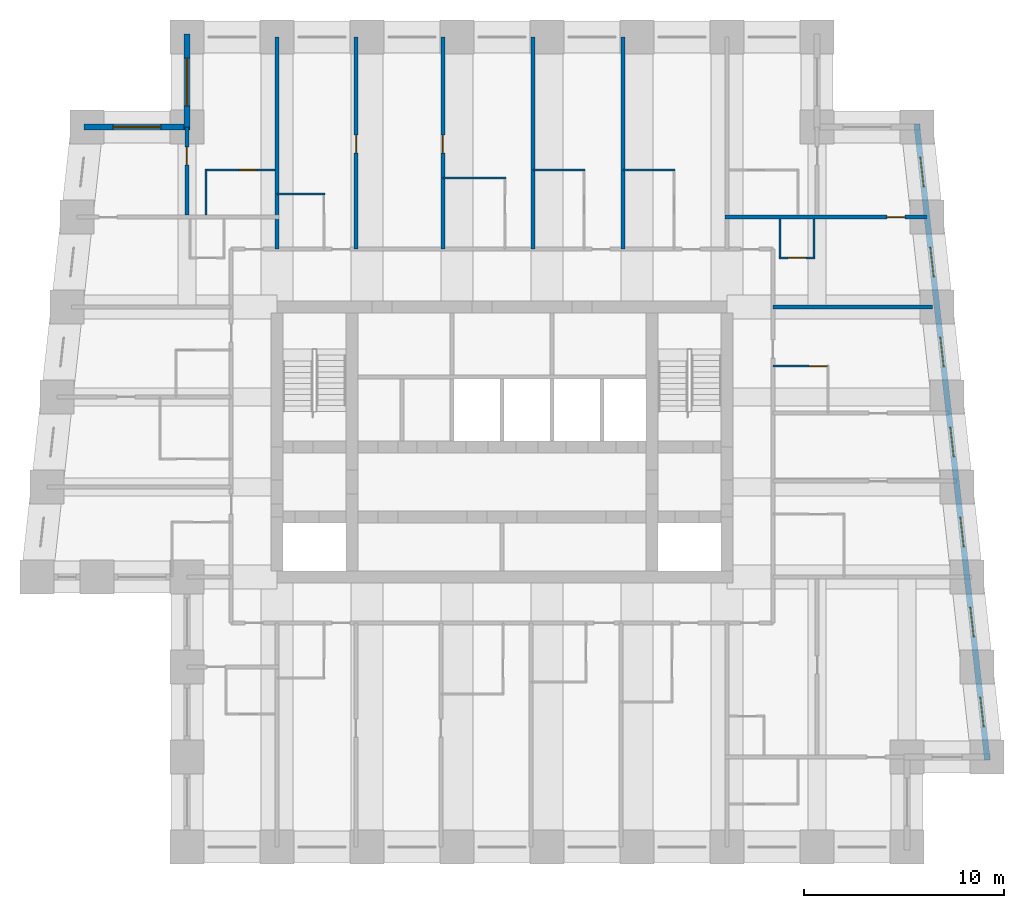
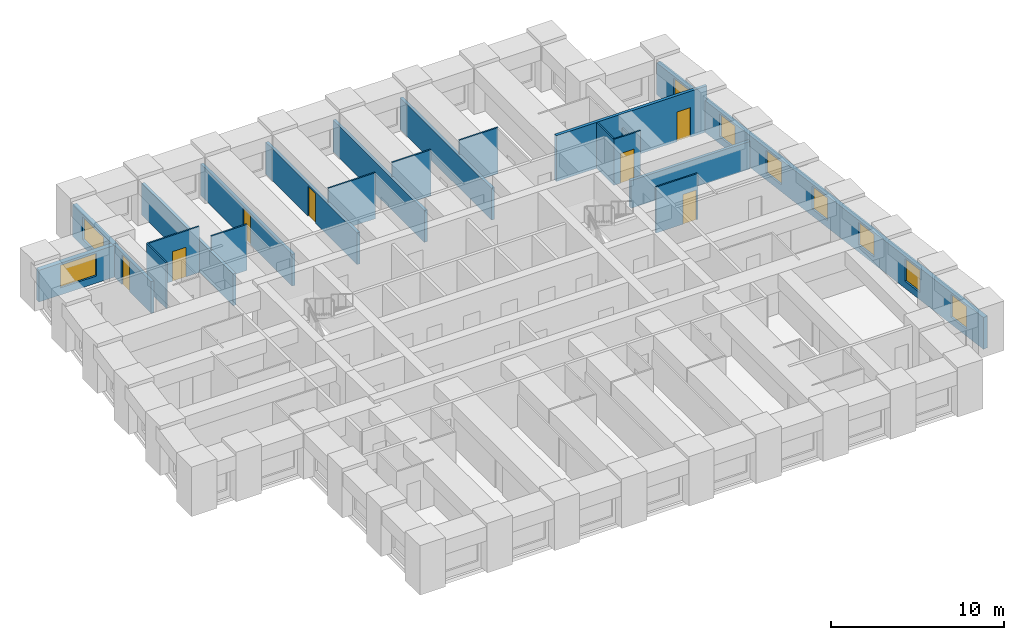
# One storey, part 6 of 8: 21 walls, 9 windows, 7 doors, 16 openings.
"""IFC4 building model written with IfcOpenShell, lengths in metres."""

from ifc_helpers import new_model, si_unit, direction, frame, frame_2d, origin, place, context, subcontext, project, spatial, rectangle, extrude, material, layer, layer_set, type_object, element, fill, save


model = new_model("IFC4")

# Units and contexts
model_context = context("Model", 3, precision=1e-05, world=origin(), true_north=direction((0.0, 1.0)))
body_context = subcontext(model_context, "Body", "Model", "MODEL_VIEW")
ifc_project = project(units=[si_unit("LENGTHUNIT", "METRE"), si_unit("AREAUNIT", "SQUARE_METRE"), si_unit("VOLUMEUNIT", "CUBIC_METRE"), si_unit("PLANEANGLEUNIT", "RADIAN"), si_unit("MASSUNIT", "GRAM", prefix="KILO")], contexts=[model_context])

# Site, building, storey
site_placement = place(None, origin())
site = spatial("IfcSite", under=ifc_project, at=site_placement, CompositionType="ELEMENT")
building_placement = place(site_placement, origin())
building = spatial("IfcBuilding", under=site, at=building_placement, Name="Kilele Tower Hotel", CompositionType="ELEMENT")
storey_placement = place(building_placement, frame((0.0, 0.0, 176.39990234375)))
storey = spatial("IfcBuildingStorey", under=building, at=storey_placement, Name="L45", CompositionType="ELEMENT", Elevation=176.39990234375)

# Wall, opening, door
ifc_material_1 = material(Name="Moisture-resistant board")
ifc_layer_1 = layer(ifc_material_1, 0.10009765625)
ifc_layer_set_1 = layer_set([ifc_layer_1], Name="Moisture-resistant board")
wall_type_1 = type_object("IfcWallType", Name="Bathroom partition 100", PredefinedType="PLUMBINGWALL", material=ifc_layer_set_1)
wall_1_placement = place(storey_placement, frame((38.300048828125, 24.050048828125, 0.0), z_axis=(0.0, 0.0, 1.0), x_axis=(1.0, 0.0, 0.0)))
wall_1 = element("IfcWall", 1, at=wall_1_placement, inside=storey, type_object=wall_type_1, Name="Bathroom partition 100 L45", PredefinedType="PLUMBINGWALL", context=body_context, shape_type="SweptSolid", body=[
    extrude(rectangle(XDim=2.800048828125, YDim=0.10009765625, at=frame_2d((1.39990234375, 0.0))), origin(), (0.0, 0.0, 1.0), 3.25),
])
opening_1_placement = place(wall_1_placement, frame((1.800048828125, 0.0, 0.0)))
opening_1 = element("IfcOpeningElement", 2, at=opening_1_placement, cuts=wall_1, Name="Opening D2A", PredefinedType="OPENING", context=body_context, shape_type="SweptSolid", body=[
    extrude(rectangle(XDim=0.89990234375, YDim=2.10009765625, at=frame_2d((0.449951171875, 1.050048828125))), frame((0.0, 0.06005859375, 0.0), z_axis=(0.0, -1.0, 0.0), x_axis=(1.0, 0.0, 0.0)), (0.0, 0.0, 1.0), 0.1201171875),
])
ifc_material_2 = material(Name="Timber door leaf in hardwood frame", Category="wood")
door_type_1 = type_object("IfcDoorType", Name="Bathroom door 900", OperationType="SINGLE_SWING_LEFT", PredefinedType="DOOR", material=ifc_material_2)
door_1_placement = place(opening_1_placement, origin())
door_1 = element("IfcDoor", 3, at=door_1_placement, inside=storey, type_object=door_type_1, Name="Bathroom door 4508B", OperationType="SINGLE_SWING_RIGHT", OverallHeight=2.10009765625, OverallWidth=0.89990234375, PredefinedType="DOOR", context=body_context, shape_type="SweptSolid", body=[
    extrude(rectangle(XDim=0.89990234375, YDim=2.10009765625, at=frame_2d((0.449951171875, 1.050048828125))), frame((0.0, 0.02490234375, 0.0), z_axis=(0.0, -1.0, 0.0), x_axis=(1.0, 0.0, 0.0)), (0.0, 0.0, 1.0), 0.050048828125),
])
fill(opening_1, door_1)

# Walls
wall_2_placement = place(storey_placement, frame((13.5, 32.64990234375, 0.0), z_axis=(0.0, 0.0, 1.0), x_axis=(1.0, 0.0, 0.0)))
element("IfcWall", 4, at=wall_2_placement, inside=storey, type_object=wall_type_1, Name="Bathroom partition 100 L45", PredefinedType="PLUMBINGWALL", context=body_context, shape_type="SweptSolid", body=[
    extrude(rectangle(XDim=2.39990234375, YDim=0.10009765625, at=frame_2d((1.199951171875, 0.0))), origin(), (0.0, 0.0, 1.0), 3.25),
])
wall_3_placement = place(storey_placement, frame((21.800048828125, 33.449951171875, 0.0), z_axis=(0.0, 0.0, 1.0), x_axis=(1.0, 0.0, 0.0)))
element("IfcWall", 5, at=wall_3_placement, inside=storey, type_object=wall_type_1, Name="Bathroom partition 100 L45", PredefinedType="PLUMBINGWALL", context=body_context, shape_type="SweptSolid", body=[
    extrude(rectangle(XDim=3.14990234375, YDim=0.10009765625, at=frame_2d((1.574951171875, 0.0))), origin(), (0.0, 0.0, 1.0), 3.25),
])
for number, where, z_axis, x_axis, name in (
    (6, (26.300048828125, 33.85009765625, 0.0), (0.0, 0.0, 1.0), (1.0, 0.0, 0.0), "Bathroom partition 100 L45"),
    (7, (30.800048828125, 33.85009765625, 0.0), (0.0, 0.0, 1.0), (1.0, 0.0, 0.0), "Bathroom partition 100 L45"),
):
    element("IfcWall", number, at=place(storey_placement, frame(where, z_axis=z_axis, x_axis=x_axis)), inside=storey, type_object=wall_type_1, Name=name, PredefinedType="PLUMBINGWALL", context=body_context, shape_type="SweptSolid", body=[
        extrude(rectangle(XDim=2.599853515625, YDim=0.10009765625, at=frame_2d((1.2998046875, 0.0))), origin(), (0.0, 0.0, 1.0), 3.25),
    ])
wall_4_placement = place(storey_placement, frame((40.35009765625, 31.39990234375, 0.0), z_axis=(0.0, 0.0, 1.0), x_axis=(0.0, -1.0, 0.0)))
element("IfcWall", 8, at=wall_4_placement, inside=storey, type_object=wall_type_1, Name="Bathroom partition 100 L45", PredefinedType="PLUMBINGWALL", context=body_context, shape_type="SweptSolid", body=[
    extrude(rectangle(XDim=2.0, YDim=0.10009765625, at=frame_2d((1.0, 0.0))), origin(), (0.0, 0.0, 1.0), 2.25),
])
wall_5_placement = place(storey_placement, frame((38.64990234375, 31.39990234375, 0.0), z_axis=(0.0, 0.0, 1.0), x_axis=(0.0, -1.0, 0.0)))
element("IfcWall", 9, at=wall_5_placement, inside=storey, type_object=wall_type_1, Name="Bathroom partition 100 L45", PredefinedType="PLUMBINGWALL", context=body_context, shape_type="SweptSolid", body=[
    extrude(rectangle(XDim=2.0, YDim=0.10009765625, at=frame_2d((1.0, 0.0))), origin(), (0.0, 0.0, 1.0), 3.25),
])

# Wall, opening, door
wall_6_placement = place(storey_placement, frame((38.60009765625, 29.449951171875, 0.0), z_axis=(0.0, 0.0, 1.0), x_axis=(1.0, 0.0, 0.0)))
wall_6 = element("IfcWall", 10, at=wall_6_placement, inside=storey, type_object=wall_type_1, Name="Bathroom partition 100 L45", PredefinedType="PLUMBINGWALL", context=body_context, shape_type="SweptSolid", body=[
    extrude(rectangle(XDim=1.7998046875, YDim=0.10009765625, at=frame_2d((0.89990234375, 0.0))), origin(), (0.0, 0.0, 1.0), 3.25),
])
opening_2_placement = place(wall_6_placement, frame((1.349853515625, 0.0, 0.0), z_axis=(0.0, 0.0, 1.0), x_axis=(-1.0, 0.0, 0.0)))
opening_2 = element("IfcOpeningElement", 11, at=opening_2_placement, cuts=wall_6, Name="Opening D2A", PredefinedType="OPENING", context=body_context, shape_type="SweptSolid", body=[
    extrude(rectangle(XDim=0.89990234375, YDim=2.10009765625, at=frame_2d((0.449951171875, 1.050048828125))), frame((0.0, 0.06005859375, 0.0), z_axis=(0.0, -1.0, 0.0), x_axis=(1.0, 0.0, 0.0)), (0.0, 0.0, 1.0), 0.1201171875),
])
door_2_placement = place(opening_2_placement, origin())
door_2 = element("IfcDoor", 12, at=door_2_placement, inside=storey, type_object=door_type_1, Name="Bathroom door 4522P", OperationType="SINGLE_SWING_RIGHT", OverallHeight=2.10009765625, OverallWidth=0.89990234375, PredefinedType="DOOR", context=body_context, shape_type="SweptSolid", body=[
    extrude(rectangle(XDim=0.89990234375, YDim=2.10009765625, at=frame_2d((0.449951171875, 1.050048828125))), frame((0.0, 0.02490234375, 0.0), z_axis=(0.0, -1.0, 0.0), x_axis=(1.0, 0.0, 0.0)), (0.0, 0.0, 1.0), 0.050048828125),
])
fill(opening_2, door_2)

# Wall
wall_7_placement = place(storey_placement, frame((9.949951171875, 31.60009765625, 0.0), z_axis=(0.0, 0.0, 1.0), x_axis=(0.0, 1.0, 0.0)))
element("IfcWall", 13, at=wall_7_placement, inside=storey, type_object=wall_type_1, Name="Bathroom partition 100 L45", PredefinedType="PLUMBINGWALL", context=body_context, shape_type="SweptSolid", body=[
    extrude(rectangle(XDim=2.2998046875, YDim=0.10009765625, at=frame_2d((1.14990234375, 0.0))), origin(), (0.0, 0.0, 1.0), 3.25),
])

# Wall, opening, door
wall_8_placement = place(storey_placement, frame((13.39990234375, 33.85009765625, 0.0), z_axis=(0.0, 0.0, 1.0), x_axis=(-1.0, 0.0, 0.0)))
wall_8 = element("IfcWall", 14, at=wall_8_placement, inside=storey, type_object=wall_type_1, Name="Bathroom partition 100 L45", PredefinedType="PLUMBINGWALL", context=body_context, shape_type="SweptSolid", body=[
    extrude(rectangle(XDim=3.5, YDim=0.10009765625, at=frame_2d((1.75, 0.0))), origin(), (0.0, 0.0, 1.0), 3.25),
])
opening_3_placement = place(wall_8_placement, frame((1.7998046875, 0.0, 0.0), z_axis=(0.0, 0.0, 1.0), x_axis=(-1.0, 0.0, 0.0)))
opening_3 = element("IfcOpeningElement", 15, at=opening_3_placement, cuts=wall_8, Name="Opening D2A", PredefinedType="OPENING", context=body_context, shape_type="SweptSolid", body=[
    extrude(rectangle(XDim=0.89990234375, YDim=2.10009765625, at=frame_2d((0.449951171875, 1.050048828125))), frame((0.0, 0.06005859375, 0.0), z_axis=(0.0, -1.0, 0.0), x_axis=(1.0, 0.0, 0.0)), (0.0, 0.0, 1.0), 0.1201171875),
])
door_3_placement = place(opening_3_placement, origin())
door_3 = element("IfcDoor", 16, at=door_3_placement, inside=storey, type_object=door_type_1, Name="Bathroom door 4526B", OperationType="SINGLE_SWING_RIGHT", OverallHeight=2.10009765625, OverallWidth=0.89990234375, PredefinedType="DOOR", context=body_context, shape_type="SweptSolid", body=[
    extrude(rectangle(XDim=0.89990234375, YDim=2.10009765625, at=frame_2d((0.449951171875, 1.050048828125))), frame((0.0, 0.02490234375, 0.0), z_axis=(0.0, -1.0, 0.0), x_axis=(1.0, 0.0, 0.0)), (0.0, 0.0, 1.0), 0.050048828125),
])
fill(opening_3, door_3)

ifc_material_3 = material(Name="Blockwork, plastered both sides", Category="masonry")
ifc_layer_2 = layer(ifc_material_3, 0.199951171875)
ifc_layer_set_2 = layer_set([ifc_layer_2], Name="Blockwork, plastered both sides")
wall_type_2 = type_object("IfcWallType", Name="Partition wall 200", PredefinedType="PARTITIONING", material=ifc_layer_set_2)
wall_9_placement = place(storey_placement, frame((9.0, 31.60009765625, 0.0), z_axis=(0.0, 0.0, 1.0), x_axis=(0.0, 1.0, 0.0)))
wall_9 = element("IfcWall", 17, at=wall_9_placement, inside=storey, type_object=wall_type_2, Name="Partition wall 200 L45", PredefinedType="PARTITIONING", context=body_context, shape_type="SweptSolid", body=[
    extrude(rectangle(XDim=4.39990234375, YDim=0.199951171875, at=frame_2d((2.199951171875, 0.0))), origin(), (0.0, 0.0, 1.0), 2.25),
])
opening_4_placement = place(wall_9_placement, frame((3.39990234375, 0.0, 0.0), z_axis=(0.0, 0.0, 1.0), x_axis=(-1.0, 0.0, 0.0)))
opening_4 = element("IfcOpeningElement", 18, at=opening_4_placement, cuts=wall_9, Name="Opening D3", PredefinedType="OPENING", context=body_context, shape_type="SweptSolid", body=[
    extrude(rectangle(XDim=0.89990234375, YDim=2.10009765625, at=frame_2d((0.449951171875, 1.050048828125))), frame((0.0, 0.10986328125, 0.0), z_axis=(0.0, -1.0, 0.0), x_axis=(1.0, 0.0, 0.0)), (0.0, 0.0, 1.0), 0.219970703125),
])
ifc_material_4 = material(Name="Timber door leaf in hardwood frame", Category="wood")
door_type_2 = type_object("IfcDoorType", Name="Suite internal door 900", OperationType="SINGLE_SWING_LEFT", PredefinedType="DOOR", material=ifc_material_4)
door_4_placement = place(opening_4_placement, origin())
door_4 = element("IfcDoor", 19, at=door_4_placement, inside=storey, type_object=door_type_2, Name="Suite door 4527", OperationType="SINGLE_SWING_RIGHT", OverallHeight=2.10009765625, OverallWidth=0.89990234375, PredefinedType="DOOR", context=body_context, shape_type="SweptSolid", body=[
    extrude(rectangle(XDim=0.89990234375, YDim=2.10009765625, at=frame_2d((0.449951171875, 1.050048828125))), frame((0.0, 0.02490234375, 0.0), z_axis=(0.0, -1.0, 0.0), x_axis=(1.0, 0.0, 0.0)), (0.0, 0.0, 1.0), 0.050048828125),
])
fill(opening_4, door_4)

ifc_material_5 = material(Name="Blockwork, plastered both sides", Category="masonry")
ifc_layer_3 = layer(ifc_material_5, 0.199951171875)
ifc_layer_set_3 = layer_set([ifc_layer_3], Name="Blockwork, plastered both sides")
wall_type_3 = type_object("IfcWallType", Name="Party wall 200", PredefinedType="PARTITIONING", material=ifc_layer_set_3)
wall_10_placement = place(storey_placement, frame((17.449951171875, 29.89990234375, 0.0), z_axis=(0.0, 0.0, 1.0), x_axis=(0.0, 1.0, 0.0)))
wall_10 = element("IfcWall", 20, at=wall_10_placement, inside=storey, type_object=wall_type_3, Name="Party wall 200 L45", PredefinedType="PARTITIONING", context=body_context, shape_type="SweptSolid", body=[
    extrude(rectangle(XDim=10.60009765625, YDim=0.199951171875, at=frame_2d((5.300048828125, 0.0))), origin(), (0.0, 0.0, 1.0), 2.25),
])
opening_5_placement = place(wall_10_placement, frame((4.800048828125, 0.0, 0.0)))
opening_5 = element("IfcOpeningElement", 21, at=opening_5_placement, cuts=wall_10, Name="Opening D3", PredefinedType="OPENING", context=body_context, shape_type="SweptSolid", body=[
    extrude(rectangle(XDim=0.89990234375, YDim=2.10009765625, at=frame_2d((0.449951171875, 1.050048828125))), frame((0.0, 0.10986328125, 0.0), z_axis=(0.0, -1.0, 0.0), x_axis=(1.0, 0.0, 0.0)), (0.0, 0.0, 1.0), 0.219970703125),
])
door_5_placement = place(opening_5_placement, origin())
door_5 = element("IfcDoor", 22, at=door_5_placement, inside=storey, type_object=door_type_2, Name="Suite door 4510", OperationType="SINGLE_SWING_LEFT", OverallHeight=2.10009765625, OverallWidth=0.89990234375, PredefinedType="DOOR", context=body_context, shape_type="SweptSolid", body=[
    extrude(rectangle(XDim=0.89990234375, YDim=2.10009765625, at=frame_2d((0.449951171875, 1.050048828125))), frame((0.0, 0.02490234375, 0.0), z_axis=(0.0, -1.0, 0.0), x_axis=(1.0, 0.0, 0.0)), (0.0, 0.0, 1.0), 0.050048828125),
])
fill(opening_5, door_5)

wall_11_placement = place(storey_placement, frame((21.800048828125, 29.89990234375, 0.0), z_axis=(0.0, 0.0, 1.0), x_axis=(0.0, 1.0, 0.0)))
wall_11 = element("IfcWall", 23, at=wall_11_placement, inside=storey, type_object=wall_type_3, Name="Party wall 200 L45", PredefinedType="PARTITIONING", context=body_context, shape_type="SweptSolid", body=[
    extrude(rectangle(XDim=10.60009765625, YDim=0.199951171875, at=frame_2d((5.300048828125, 0.0))), origin(), (0.0, 0.0, 1.0), 2.25),
])
opening_6_placement = place(wall_11_placement, frame((5.699951171875, 0.0, 0.0), z_axis=(0.0, 0.0, 1.0), x_axis=(-1.0, 0.0, 0.0)))
opening_6 = element("IfcOpeningElement", 24, at=opening_6_placement, cuts=wall_11, Name="Opening D3", PredefinedType="OPENING", context=body_context, shape_type="SweptSolid", body=[
    extrude(rectangle(XDim=0.89990234375, YDim=2.10009765625, at=frame_2d((0.449951171875, 1.050048828125))), frame((0.0, 0.10986328125, 0.0), z_axis=(0.0, -1.0, 0.0), x_axis=(1.0, 0.0, 0.0)), (0.0, 0.0, 1.0), 0.219970703125),
])
door_6_placement = place(opening_6_placement, origin())
door_6 = element("IfcDoor", 25, at=door_6_placement, inside=storey, type_object=door_type_2, Name="Suite door 4511", OperationType="SINGLE_SWING_RIGHT", OverallHeight=2.10009765625, OverallWidth=0.89990234375, PredefinedType="DOOR", context=body_context, shape_type="SweptSolid", body=[
    extrude(rectangle(XDim=0.89990234375, YDim=2.10009765625, at=frame_2d((0.449951171875, 1.050048828125))), frame((0.0, 0.02490234375, 0.0), z_axis=(0.0, -1.0, 0.0), x_axis=(1.0, 0.0, 0.0)), (0.0, 0.0, 1.0), 0.050048828125),
])
fill(opening_6, door_6)

# Walls
for number, where, z_axis, x_axis, name in (
    (26, (26.300048828125, 29.89990234375, 0.0), (0.0, 0.0, 1.0), (0.0, 1.0, 0.0), "Party wall 200 L45"),
    (27, (30.800048828125, 29.89990234375, 0.0), (0.0, 0.0, 1.0), (0.0, 1.0, 0.0), "Party wall 200 L45"),
):
    element("IfcWall", number, at=place(storey_placement, frame(where, z_axis=z_axis, x_axis=x_axis)), inside=storey, type_object=wall_type_3, Name=name, PredefinedType="PARTITIONING", context=body_context, shape_type="SweptSolid", body=[
        extrude(rectangle(XDim=10.60009765625, YDim=0.199951171875, at=frame_2d((5.300048828125, 0.0))), origin(), (0.0, 0.0, 1.0), 2.25),
    ])
wall_12_placement = place(storey_placement, frame((38.300048828125, 27.0, 0.0), z_axis=(0.0, 0.0, 1.0), x_axis=(1.0, 0.0, 0.0)))
element("IfcWall", 28, at=wall_12_placement, inside=storey, type_object=wall_type_3, Name="Party wall 200 L45", PredefinedType="PARTITIONING", context=body_context, shape_type="SweptSolid", body=[
    extrude(rectangle(XDim=7.976806640625, YDim=0.199951171875, at=frame_2d((3.98828125, 0.0))), origin(), (0.0, 0.0, 1.0), 1.9501953125),
])

# Wall, opening, door
wall_13_placement = place(storey_placement, frame((35.89990234375, 31.5, 0.0), z_axis=(0.0, 0.0, 1.0), x_axis=(1.0, 0.0, 0.0)))
wall_13 = element("IfcWall", 29, at=wall_13_placement, inside=storey, type_object=wall_type_3, Name="Party wall 200 L45", PredefinedType="PARTITIONING", context=body_context, shape_type="SweptSolid", body=[
    extrude(rectangle(XDim=10.09912109375, YDim=0.199951171875, at=frame_2d((5.049560546875, 0.0))), origin(), (0.0, 0.0, 1.0), 3.25),
])
opening_7_placement = place(wall_13_placement, frame((8.09912109375, 0.0, 0.0)))
opening_7 = element("IfcOpeningElement", 30, at=opening_7_placement, cuts=wall_13, Name="Opening D3", PredefinedType="OPENING", context=body_context, shape_type="SweptSolid", body=[
    extrude(rectangle(XDim=0.89990234375, YDim=2.10009765625, at=frame_2d((0.449951171875, 1.050048828125))), frame((0.0, 0.10986328125, 0.0), z_axis=(0.0, -1.0, 0.0), x_axis=(1.0, 0.0, 0.0)), (0.0, 0.0, 1.0), 0.219970703125),
])
door_7_placement = place(opening_7_placement, origin())
door_7 = element("IfcDoor", 31, at=door_7_placement, inside=storey, type_object=door_type_2, Name="Suite door 4523", OperationType="SINGLE_SWING_RIGHT", OverallHeight=2.10009765625, OverallWidth=0.89990234375, PredefinedType="DOOR", context=body_context, shape_type="SweptSolid", body=[
    extrude(rectangle(XDim=0.89990234375, YDim=2.10009765625, at=frame_2d((0.449951171875, 1.050048828125))), frame((0.0, 0.02490234375, 0.0), z_axis=(0.0, -1.0, 0.0), x_axis=(1.0, 0.0, 0.0)), (0.0, 0.0, 1.0), 0.050048828125),
])
fill(opening_7, door_7)

# Wall
wall_14_placement = place(storey_placement, frame((13.5, 29.89990234375, 0.0), z_axis=(0.0, 0.0, 1.0), x_axis=(0.0, 1.0, 0.0)))
element("IfcWall", 32, at=wall_14_placement, inside=storey, type_object=wall_type_3, Name="Party wall 200 L45", PredefinedType="PARTITIONING", context=body_context, shape_type="SweptSolid", body=[
    extrude(rectangle(XDim=10.60009765625, YDim=0.199951171875, at=frame_2d((5.300048828125, 0.0))), origin(), (0.0, 0.0, 1.0), 2.25),
])

# Wall, openings, windows
ifc_material_6 = material(Name="Concrete C40/50 precast", Category="concrete")
ifc_layer_4 = layer(ifc_material_6, 0.260009765625, Name="Precast backing", Category="LoadBearing")
ifc_material_7 = material(Name="Reconstituted stone finish", Category="masonry")
ifc_layer_5 = layer(ifc_material_7, 0.0400390625, Name="Face mix", Category="Finish")
ifc_layer_set_4 = layer_set([ifc_layer_4, ifc_layer_5], Name="Precast concrete C40/50, reconstituted stone finish")
wall_type_4 = type_object("IfcWallType", Name="Precast stone facade wall 300", PredefinedType="STANDARD", material=ifc_layer_set_4)
wall_15_placement = place(storey_placement, frame((49.0166015625, 4.350830078125, 0.0), z_axis=(0.0, 0.0, 1.0), x_axis=(-0.110433201132, 0.993883548555, 0.0)))
wall_15 = element("IfcWall", 33, at=wall_15_placement, inside=storey, type_object=wall_type_4, Name="Facade wall L45 edge 6", PredefinedType="STANDARD", context=body_context, shape_type="SweptSolid", body=[
    extrude(rectangle(XDim=31.994140625, YDim=0.300048828125, at=frame_2d((15.9970703125, 0.0))), origin(), (0.0, 0.0, 1.0), 2.25),
])
opening_8_placement = place(wall_15_placement, frame((1.6640625, 0.0, 0.5)))
opening_8 = element("IfcOpeningElement", 34, at=opening_8_placement, cuts=wall_15, Name="Opening W3", PredefinedType="OPENING", context=body_context, shape_type="SweptSolid", body=[
    extrude(rectangle(XDim=1.5, YDim=1.60009765625, at=frame_2d((0.75, 0.800048828125))), frame((0.0, 0.159912109375, 0.0), z_axis=(0.0, -1.0, 0.0), x_axis=(1.0, 0.0, 0.0)), (0.0, 0.0, 1.0), 0.320068359375),
])
opening_9_placement = place(wall_15_placement, frame((6.19189453125, 0.0, 0.5)))
opening_9 = element("IfcOpeningElement", 35, at=opening_9_placement, cuts=wall_15, Name="Opening W3", PredefinedType="OPENING", context=body_context, shape_type="SweptSolid", body=[
    extrude(rectangle(XDim=1.5, YDim=1.60009765625, at=frame_2d((0.75, 0.800048828125))), frame((0.0, 0.159912109375, 0.0), z_axis=(0.0, -1.0, 0.0), x_axis=(1.0, 0.0, 0.0)), (0.0, 0.0, 1.0), 0.320068359375),
])
opening_10_placement = place(wall_15_placement, frame((10.718994140625, 0.0, 0.5)))
opening_10 = element("IfcOpeningElement", 36, at=opening_10_placement, cuts=wall_15, Name="Opening W3", PredefinedType="OPENING", context=body_context, shape_type="SweptSolid", body=[
    extrude(rectangle(XDim=1.5, YDim=1.60009765625, at=frame_2d((0.75, 0.800048828125))), frame((0.0, 0.159912109375, 0.0), z_axis=(0.0, -1.0, 0.0), x_axis=(1.0, 0.0, 0.0)), (0.0, 0.0, 1.0), 0.320068359375),
])
opening_11_placement = place(wall_15_placement, frame((15.2470703125, 0.0, 0.5)))
opening_11 = element("IfcOpeningElement", 37, at=opening_11_placement, cuts=wall_15, Name="Opening W3", PredefinedType="OPENING", context=body_context, shape_type="SweptSolid", body=[
    extrude(rectangle(XDim=1.5, YDim=1.60009765625, at=frame_2d((0.75, 0.800048828125))), frame((0.0, 0.159912109375, 0.0), z_axis=(0.0, -1.0, 0.0), x_axis=(1.0, 0.0, 0.0)), (0.0, 0.0, 1.0), 0.320068359375),
])
opening_12_placement = place(wall_15_placement, frame((19.77490234375, 0.0, 0.5)))
opening_12 = element("IfcOpeningElement", 38, at=opening_12_placement, cuts=wall_15, Name="Opening W3", PredefinedType="OPENING", context=body_context, shape_type="SweptSolid", body=[
    extrude(rectangle(XDim=1.5, YDim=1.60009765625, at=frame_2d((0.75, 0.800048828125))), frame((0.0, 0.159912109375, 0.0), z_axis=(0.0, -1.0, 0.0), x_axis=(1.0, 0.0, 0.0)), (0.0, 0.0, 1.0), 0.320068359375),
])
opening_13_placement = place(wall_15_placement, frame((24.302001953125, 0.0, 0.5)))
opening_13 = element("IfcOpeningElement", 39, at=opening_13_placement, cuts=wall_15, Name="Opening W3", PredefinedType="OPENING", context=body_context, shape_type="SweptSolid", body=[
    extrude(rectangle(XDim=1.5, YDim=1.60009765625, at=frame_2d((0.75, 0.800048828125))), frame((0.0, 0.159912109375, 0.0), z_axis=(0.0, -1.0, 0.0), x_axis=(1.0, 0.0, 0.0)), (0.0, 0.0, 1.0), 0.320068359375),
])
opening_14_placement = place(wall_15_placement, frame((28.830078125, 0.0, 0.5)))
opening_14 = element("IfcOpeningElement", 40, at=opening_14_placement, cuts=wall_15, Name="Opening W3", PredefinedType="OPENING", context=body_context, shape_type="SweptSolid", body=[
    extrude(rectangle(XDim=1.5, YDim=1.60009765625, at=frame_2d((0.75, 0.800048828125))), frame((0.0, 0.159912109375, 0.0), z_axis=(0.0, -1.0, 0.0), x_axis=(1.0, 0.0, 0.0)), (0.0, 0.0, 1.0), 0.320068359375),
])
ifc_material_8 = material(Name="Aluminium frame, clear double glazing", Category="aluminium")
window_type_1 = type_object("IfcWindowType", Name="Window W3 1500 x 1600", PartitioningType="SINGLE_PANEL", PredefinedType="WINDOW", material=ifc_material_8)
window_1_placement = place(opening_8_placement, origin())
window_1 = element("IfcWindow", 41, at=window_1_placement, inside=storey, type_object=window_type_1, Name="Window L45", OverallHeight=1.60009765625, OverallWidth=1.5, PartitioningType="SINGLE_PANEL", PredefinedType="WINDOW", context=body_context, shape_type="SweptSolid", body=[
    extrude(rectangle(XDim=1.5, YDim=1.60009765625, at=frame_2d((0.75, 0.800048828125))), frame((0.0, 0.030029296875, 0.0), z_axis=(0.0, -1.0, 0.0), x_axis=(1.0, 0.0, 0.0)), (0.0, 0.0, 1.0), 0.06005859375),
])
fill(opening_8, window_1)
window_2_placement = place(opening_9_placement, origin())
window_2 = element("IfcWindow", 42, at=window_2_placement, inside=storey, type_object=window_type_1, Name="Window L45", OverallHeight=1.60009765625, OverallWidth=1.5, PartitioningType="SINGLE_PANEL", PredefinedType="WINDOW", context=body_context, shape_type="SweptSolid", body=[
    extrude(rectangle(XDim=1.5, YDim=1.60009765625, at=frame_2d((0.75, 0.800048828125))), frame((0.0, 0.030029296875, 0.0), z_axis=(0.0, -1.0, 0.0), x_axis=(1.0, 0.0, 0.0)), (0.0, 0.0, 1.0), 0.06005859375),
])
fill(opening_9, window_2)
window_3_placement = place(opening_10_placement, origin())
window_3 = element("IfcWindow", 43, at=window_3_placement, inside=storey, type_object=window_type_1, Name="Window L45", OverallHeight=1.60009765625, OverallWidth=1.5, PartitioningType="SINGLE_PANEL", PredefinedType="WINDOW", context=body_context, shape_type="SweptSolid", body=[
    extrude(rectangle(XDim=1.5, YDim=1.60009765625, at=frame_2d((0.75, 0.800048828125))), frame((0.0, 0.030029296875, 0.0), z_axis=(0.0, -1.0, 0.0), x_axis=(1.0, 0.0, 0.0)), (0.0, 0.0, 1.0), 0.06005859375),
])
fill(opening_10, window_3)
window_4_placement = place(opening_11_placement, origin())
window_4 = element("IfcWindow", 44, at=window_4_placement, inside=storey, type_object=window_type_1, Name="Window L45", OverallHeight=1.60009765625, OverallWidth=1.5, PartitioningType="SINGLE_PANEL", PredefinedType="WINDOW", context=body_context, shape_type="SweptSolid", body=[
    extrude(rectangle(XDim=1.5, YDim=1.60009765625, at=frame_2d((0.75, 0.800048828125))), frame((0.0, 0.030029296875, 0.0), z_axis=(0.0, -1.0, 0.0), x_axis=(1.0, 0.0, 0.0)), (0.0, 0.0, 1.0), 0.06005859375),
])
fill(opening_11, window_4)
window_5_placement = place(opening_12_placement, origin())
window_5 = element("IfcWindow", 45, at=window_5_placement, inside=storey, type_object=window_type_1, Name="Window L45", OverallHeight=1.60009765625, OverallWidth=1.5, PartitioningType="SINGLE_PANEL", PredefinedType="WINDOW", context=body_context, shape_type="SweptSolid", body=[
    extrude(rectangle(XDim=1.5, YDim=1.60009765625, at=frame_2d((0.75, 0.800048828125))), frame((0.0, 0.030029296875, 0.0), z_axis=(0.0, -1.0, 0.0), x_axis=(1.0, 0.0, 0.0)), (0.0, 0.0, 1.0), 0.06005859375),
])
fill(opening_12, window_5)
window_6_placement = place(opening_13_placement, origin())
window_6 = element("IfcWindow", 46, at=window_6_placement, inside=storey, type_object=window_type_1, Name="Window L45", OverallHeight=1.60009765625, OverallWidth=1.5, PartitioningType="SINGLE_PANEL", PredefinedType="WINDOW", context=body_context, shape_type="SweptSolid", body=[
    extrude(rectangle(XDim=1.5, YDim=1.60009765625, at=frame_2d((0.75, 0.800048828125))), frame((0.0, 0.030029296875, 0.0), z_axis=(0.0, -1.0, 0.0), x_axis=(1.0, 0.0, 0.0)), (0.0, 0.0, 1.0), 0.06005859375),
])
fill(opening_13, window_6)
window_7_placement = place(opening_14_placement, origin())
window_7 = element("IfcWindow", 47, at=window_7_placement, inside=storey, type_object=window_type_1, Name="Window L45", OverallHeight=1.60009765625, OverallWidth=1.5, PartitioningType="SINGLE_PANEL", PredefinedType="WINDOW", context=body_context, shape_type="SweptSolid", body=[
    extrude(rectangle(XDim=1.5, YDim=1.60009765625, at=frame_2d((0.75, 0.800048828125))), frame((0.0, 0.030029296875, 0.0), z_axis=(0.0, -1.0, 0.0), x_axis=(1.0, 0.0, 0.0)), (0.0, 0.0, 1.0), 0.06005859375),
])
fill(opening_14, window_7)

# Wall, opening, window
wall_16_placement = place(storey_placement, frame((9.0, 40.64990234375, 0.0), z_axis=(0.0, 0.0, 1.0), x_axis=(0.0, -1.0, 0.0)))
wall_16 = element("IfcWall", 48, at=wall_16_placement, inside=storey, type_object=wall_type_4, Name="Facade wall L45 edge 10", PredefinedType="STANDARD", context=body_context, shape_type="SweptSolid", body=[
    extrude(rectangle(XDim=4.7998046875, YDim=0.300048828125, at=frame_2d((2.39990234375, 0.0))), origin(), (0.0, 0.0, 1.0), 2.25),
])
opening_15_placement = place(wall_16_placement, frame((1.199951171875, 0.0, 0.5)))
opening_15 = element("IfcOpeningElement", 49, at=opening_15_placement, cuts=wall_16, Name="Opening W3", PredefinedType="OPENING", context=body_context, shape_type="SweptSolid", body=[
    extrude(rectangle(XDim=2.39990234375, YDim=1.60009765625, at=frame_2d((1.199951171875, 0.800048828125))), frame((0.0, 0.159912109375, 0.0), z_axis=(0.0, -1.0, 0.0), x_axis=(1.0, 0.0, 0.0)), (0.0, 0.0, 1.0), 0.320068359375),
])
ifc_material_9 = material(Name="Aluminium frame, clear double glazing", Category="aluminium")
window_type_2 = type_object("IfcWindowType", Name="Window W3 2400 x 1600", PartitioningType="SINGLE_PANEL", PredefinedType="WINDOW", material=ifc_material_9)
window_8_placement = place(opening_15_placement, origin())
window_8 = element("IfcWindow", 50, at=window_8_placement, inside=storey, type_object=window_type_2, Name="Window L45", OverallHeight=1.60009765625, OverallWidth=2.39990234375, PartitioningType="SINGLE_PANEL", PredefinedType="WINDOW", context=body_context, shape_type="SweptSolid", body=[
    extrude(rectangle(XDim=2.39990234375, YDim=1.60009765625, at=frame_2d((1.199951171875, 0.800048828125))), frame((0.0, 0.030029296875, 0.0), z_axis=(0.0, -1.0, 0.0), x_axis=(1.0, 0.0, 0.0)), (0.0, 0.0, 1.0), 0.06005859375),
])
fill(opening_15, window_8)

wall_17_placement = place(storey_placement, frame((9.14990234375, 36.0, 0.0), z_axis=(0.0, 0.0, 1.0), x_axis=(-1.0, 0.0, 0.0)))
wall_17 = element("IfcWall", 51, at=wall_17_placement, inside=storey, type_object=wall_type_4, Name="Facade wall L45 edge 11", PredefinedType="STANDARD", context=body_context, shape_type="SweptSolid", body=[
    extrude(rectangle(XDim=5.2998046875, YDim=0.300048828125, at=frame_2d((2.64990234375, 0.0))), origin(), (0.0, 0.0, 1.0), 2.25),
])
opening_16_placement = place(wall_17_placement, frame((1.449951171875, 0.0, 0.5)))
opening_16 = element("IfcOpeningElement", 52, at=opening_16_placement, cuts=wall_17, Name="Opening W3", PredefinedType="OPENING", context=body_context, shape_type="SweptSolid", body=[
    extrude(rectangle(XDim=2.39990234375, YDim=1.60009765625, at=frame_2d((1.199951171875, 0.800048828125))), frame((0.0, 0.159912109375, 0.0), z_axis=(0.0, -1.0, 0.0), x_axis=(1.0, 0.0, 0.0)), (0.0, 0.0, 1.0), 0.320068359375),
])
window_9_placement = place(opening_16_placement, origin())
window_9 = element("IfcWindow", 53, at=window_9_placement, inside=storey, type_object=window_type_2, Name="Window L45", OverallHeight=1.60009765625, OverallWidth=2.39990234375, PartitioningType="SINGLE_PANEL", PredefinedType="WINDOW", context=body_context, shape_type="SweptSolid", body=[
    extrude(rectangle(XDim=2.39990234375, YDim=1.60009765625, at=frame_2d((1.199951171875, 0.800048828125))), frame((0.0, 0.030029296875, 0.0), z_axis=(0.0, -1.0, 0.0), x_axis=(1.0, 0.0, 0.0)), (0.0, 0.0, 1.0), 0.06005859375),
])
fill(opening_16, window_9)

save(model, "model.ifc")
